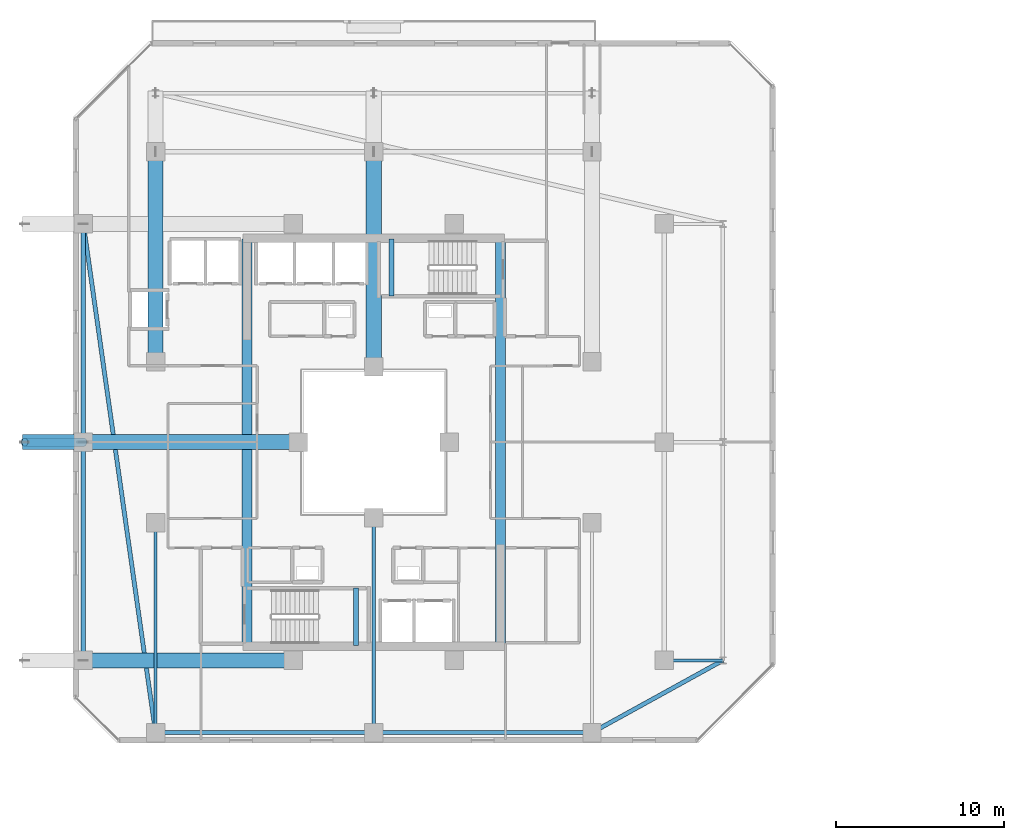
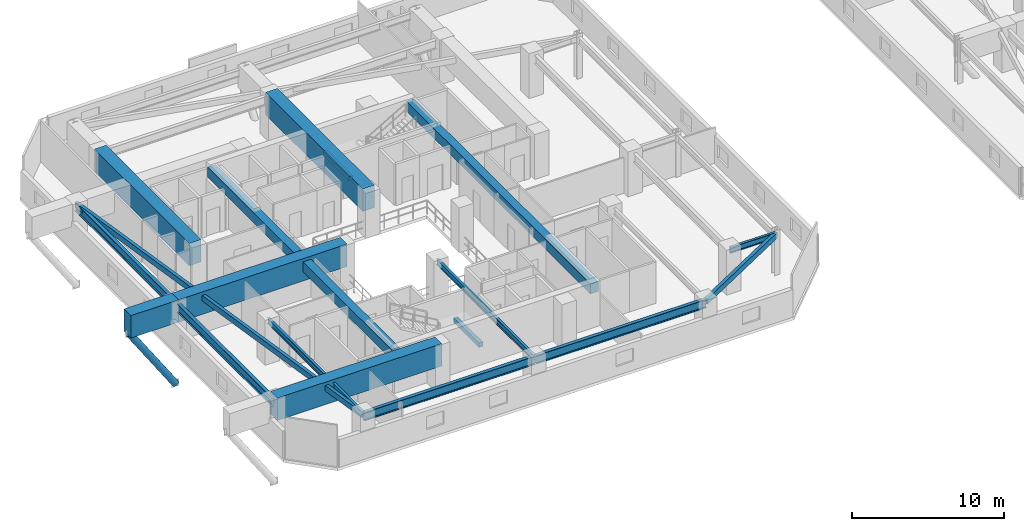
# One storey, part 4 of 36: 18 beams, 1 member.
"""IFC4 building model written with IfcOpenShell, lengths in metres."""

from ifc_helpers import new_model, si_unit, direction, frame, origin, origin_2d, place, context, subcontext, project, spatial, rectangle, hollow_rectangle, hollow_circle, i_section, extrude, material, material_profile, profile_set, type_object, element, save


model = new_model("IFC4")

# Units and contexts
model_context = context("Model", 3, precision=1e-05, world=origin(), true_north=direction((0.0, 1.0)))
body_context = subcontext(model_context, "Body", "Model", "MODEL_VIEW")
ifc_project = project(units=[si_unit("LENGTHUNIT", "METRE"), si_unit("AREAUNIT", "SQUARE_METRE"), si_unit("VOLUMEUNIT", "CUBIC_METRE"), si_unit("PLANEANGLEUNIT", "RADIAN"), si_unit("MASSUNIT", "GRAM", prefix="KILO")], contexts=[model_context])

# Site, building, storey
site_placement = place(None, origin())
site = spatial("IfcSite", under=ifc_project, at=site_placement, CompositionType="ELEMENT")
building_placement = place(site_placement, origin())
building = spatial("IfcBuilding", under=site, at=building_placement, Name="Thornwick Lancets Civic Towers", CompositionType="ELEMENT")
storey_placement = place(building_placement, frame((0.0, 0.0, 196.5)))
storey = spatial("IfcBuildingStorey", under=building, at=storey_placement, Name="L52", CompositionType="ELEMENT", Elevation=196.5)

# Beams
ifc_material_1 = material(Name="Concrete C60/75", Category="concrete")
ifc_material_profile_1 = material_profile(ifc_material_1, rectangle(XDim=0.60009765625, YDim=0.800048828125, at=origin_2d()), Name="RC 600x800")
ifc_profile_set_1 = profile_set([ifc_material_profile_1], Name="Concrete C60/75")
beam_type_1 = type_object("IfcBeamType", Name="BM_COUP_RC800", PredefinedType="BEAM", material=ifc_profile_set_1)
for number, where, z_axis, x_axis, name in (
    (1, (33.050048828125, 14.89990234375, 2.93994140625), (0.0, 1.0, 0.0), (-1.0, 0.0, 0.0), "CB-L52-A1"),
    (2, (17.949951171875, 14.89990234375, 2.93994140625), (0.0, 1.0, 0.0), (-1.0, 0.0, 0.0), "CB-L52-A2"),
):
    element("IfcBeam", number, at=place(storey_placement, frame(where, z_axis=z_axis, x_axis=x_axis)), inside=storey, type_object=beam_type_1, Name=name, PredefinedType="BEAM", context=body_context, shape_type="SweptSolid", body=[
        extrude(rectangle(XDim=0.60009765625, YDim=0.800048828125, at=origin_2d()), origin(), (0.0, 0.0, 1.0), 24.2001953125),
    ])
ifc_material_2 = material(Name="Steel S355JR", Category="steel")
ifc_material_profile_2 = material_profile(ifc_material_2, i_section(OverallWidth=0.255859375, OverallDepth=0.69287109375, WebThickness=0.014404296875, FlangeThickness=0.023681640625, FilletRadius=0.01513671875, at=origin_2d()), Name="UKB 686x254x170")
ifc_profile_set_2 = profile_set([ifc_material_profile_2], Name="Steel S355JR")
beam_type_2 = type_object("IfcBeamType", Name="BM_GIRD_686_170", PredefinedType="BEAM", material=ifc_profile_set_2)
beam_1_placement = place(storey_placement, frame((12.5, 9.699951171875, 2.993408203125), z_axis=(1.0, 0.0, 0.0), x_axis=(0.0, 1.0, 0.0)))
element("IfcBeam", 3, at=beam_1_placement, inside=storey, type_object=beam_type_2, Name="BM-SPINE-L52-A-0-1", PredefinedType="BEAM", context=body_context, shape_type="SweptSolid", body=[
    extrude(i_section(OverallWidth=0.255859375, OverallDepth=0.69287109375, WebThickness=0.014404296875, FlangeThickness=0.023681640625, FilletRadius=0.01513671875, at=origin_2d()), origin(), (0.0, 0.0, 1.0), 13.0),
])
beam_2_placement = place(storey_placement, frame((25.580078125, 9.699951171875, 2.993408203125), z_axis=(1.0, 0.0, 0.0), x_axis=(0.0, 1.0, 0.0)))
element("IfcBeam", 4, at=beam_2_placement, inside=storey, type_object=beam_type_2, Name="BM-SPINE-L52-A-1-2", PredefinedType="BEAM", context=body_context, shape_type="SweptSolid", body=[
    extrude(i_section(OverallWidth=0.255859375, OverallDepth=0.69287109375, WebThickness=0.014404296875, FlangeThickness=0.023681640625, FilletRadius=0.01513671875, at=origin_2d()), origin(), (0.0, 0.0, 1.0), 12.919921875),
])
beam_3_placement = place(storey_placement, frame((8.199951171875, 14.0, 2.993408203125), z_axis=(0.0, 1.0, 0.0), x_axis=(-1.0, 0.0, 0.0)))
element("IfcBeam", 5, at=beam_3_placement, inside=storey, type_object=beam_type_2, Name="BM-SPINE-L52-A-9-10", PredefinedType="BEAM", context=body_context, shape_type="SweptSolid", body=[
    extrude(i_section(OverallWidth=0.255859375, OverallDepth=0.69287109375, WebThickness=0.014404296875, FlangeThickness=0.023681640625, FilletRadius=0.01513671875, at=origin_2d()), origin(), (0.0, 0.0, 1.0), 13.0),
])
beam_4_placement = place(storey_placement, frame((8.199951171875, 27.080078125, 2.993408203125), z_axis=(0.0, 1.0, 0.0), x_axis=(-1.0, 0.0, 0.0)))
element("IfcBeam", 6, at=beam_4_placement, inside=storey, type_object=beam_type_2, Name="BM-SPINE-L52-A-10-11", PredefinedType="BEAM", context=body_context, shape_type="SweptSolid", body=[
    extrude(i_section(OverallWidth=0.255859375, OverallDepth=0.69287109375, WebThickness=0.014404296875, FlangeThickness=0.023681640625, FilletRadius=0.01513671875, at=origin_2d()), origin(), (0.0, 0.0, 1.0), 12.919921875),
])
ifc_material_profile_3 = material_profile(ifc_material_2, i_section(OverallWidth=0.19189453125, OverallDepth=0.46337890625, WebThickness=0.010498046875, FlangeThickness=0.017578125, FilletRadius=0.01025390625, at=origin_2d()), Name="UKB 457x191x89")
ifc_profile_set_3 = profile_set([ifc_material_profile_3], Name="Steel S355JR")
beam_type_3 = type_object("IfcBeamType", Name="BM_JOIST_457_89", PredefinedType="JOIST", material=ifc_profile_set_3)
beam_5_placement = place(storey_placement, frame((12.5, 22.199951171875, 3.1083984375), z_axis=(0.0, -1.0, 0.0), x_axis=(1.0, 0.0, 0.0)))
element("IfcBeam", 7, at=beam_5_placement, inside=storey, type_object=beam_type_3, Name="BM-RADIN-L52-A01", PredefinedType="JOIST", context=body_context, shape_type="SweptSolid", body=[
    extrude(i_section(OverallWidth=0.19189453125, OverallDepth=0.46337890625, WebThickness=0.010498046875, FlangeThickness=0.017578125, FilletRadius=0.01025390625, at=origin_2d()), origin(), (0.0, 0.0, 1.0), 12.5),
])
beam_6_placement = place(storey_placement, frame((25.5, 22.5, 3.1083984375), z_axis=(0.0, -1.0, 0.0), x_axis=(1.0, 0.0, 0.0)))
element("IfcBeam", 8, at=beam_6_placement, inside=storey, type_object=beam_type_3, Name="BM-RADIN-L52-A02", PredefinedType="JOIST", context=body_context, shape_type="SweptSolid", body=[
    extrude(i_section(OverallWidth=0.19189453125, OverallDepth=0.46337890625, WebThickness=0.010498046875, FlangeThickness=0.017578125, FilletRadius=0.01025390625, at=origin_2d()), origin(), (0.0, 0.0, 1.0), 12.800048828125),
])
beam_7_placement = place(storey_placement, frame((42.800048828125, 14.0, 3.1083984375), z_axis=(1.0, 0.0, 0.0), x_axis=(0.0, 1.0, 0.0)))
element("IfcBeam", 9, at=beam_7_placement, inside=storey, type_object=beam_type_3, Name="BM-RAD-L52-A04", PredefinedType="JOIST", context=body_context, shape_type="SweptSolid", body=[
    extrude(i_section(OverallWidth=0.19189453125, OverallDepth=0.46337890625, WebThickness=0.010498046875, FlangeThickness=0.017578125, FilletRadius=0.01025390625, at=origin_2d()), origin(), (0.0, 0.0, 1.0), 3.5),
])
ifc_material_profile_4 = material_profile(ifc_material_2, hollow_rectangle(XDim=0.25, YDim=0.449951171875, WallThickness=0.01611328125, at=origin_2d()), Name="RHS 450x250x16")
ifc_profile_set_4 = profile_set([ifc_material_profile_4], Name="Steel S355JR")
beam_type_4 = type_object("IfcBeamType", Name="BM_RING_RHS450", PredefinedType="BEAM", material=ifc_profile_set_4)
beam_8_placement = place(storey_placement, frame((38.5, 9.699951171875, 3.114990234375), z_axis=(0.875740348708, 0.482782395749, 0.0), x_axis=(-0.482782395749, 0.875740348708, 0.0)))
element("IfcBeam", 10, at=beam_8_placement, inside=storey, type_object=beam_type_4, Name="BM-CHAMF-L52-A-C0", PredefinedType="BEAM", context=body_context, shape_type="SweptSolid", body=[
    extrude(hollow_rectangle(XDim=0.25, YDim=0.449951171875, WallThickness=0.01611328125, at=origin_2d()), origin(), (0.0, 0.0, 1.0), 8.90673828125),
])
beam_9_placement = place(storey_placement, frame((8.199951171875, 40.0, 3.114990234375), z_axis=(0.140507712682, -0.990079584012, 0.0), x_axis=(0.990079584012, 0.140507712682, 0.0)))
element("IfcBeam", 11, at=beam_9_placement, inside=storey, type_object=beam_type_4, Name="BM-CHAMF-L52-A-C3", PredefinedType="BEAM", context=body_context, shape_type="SweptSolid", body=[
    extrude(hollow_rectangle(XDim=0.25, YDim=0.449951171875, WallThickness=0.01611328125, at=origin_2d()), origin(), (0.0, 0.0, 1.0), 30.603759765625),
])
ifc_material_3 = material(Name="Concrete C40/50", Category="concrete")
ifc_material_profile_5 = material_profile(ifc_material_3, rectangle(XDim=0.300048828125, YDim=0.35009765625, at=origin_2d()), Name="RC 300x350")
ifc_profile_set_5 = profile_set([ifc_material_profile_5], Name="Concrete C40/50")
beam_type_5 = type_object("IfcBeamType", Name="BM_STAIR_LDG", PredefinedType="BEAM", material=ifc_profile_set_5)
for number, where, z_axis, x_axis, name in (
    (12, (24.43505859375, 14.89990234375, 1.3779296875), (0.0, 1.0, 0.0), (-1.0, 0.0, 0.0), "L52 ST-A1 Landing Support Beam 1"),
    (13, (26.56494140625, 39.10009765625, 1.3779296875), (0.0, -1.0, 0.0), (1.0, 0.0, 0.0), "L52 ST-A2 Landing Support Beam 1"),
):
    element("IfcBeam", number, at=place(storey_placement, frame(where, z_axis=z_axis, x_axis=x_axis)), inside=storey, type_object=beam_type_5, Name=name, PredefinedType="BEAM", context=body_context, shape_type="SweptSolid", body=[
        extrude(rectangle(XDim=0.300048828125, YDim=0.35009765625, at=origin_2d()), origin(), (0.0, 0.0, 1.0), 3.400146484375),
    ])
ifc_material_profile_6 = material_profile(ifc_material_1, rectangle(XDim=0.89990234375, YDim=1.800048828125, at=origin_2d()), Name="RC 900x1800")
ifc_profile_set_6 = profile_set([ifc_material_profile_6], Name="Concrete C60/75")
beam_type_6 = type_object("IfcBeamType", Name="BM_TR_RC1800", PredefinedType="BEAM", material=ifc_profile_set_6)
beam_10_placement = place(storey_placement, frame((12.5, 31.800048828125, 2.699951171875), z_axis=(0.0, 1.0, 0.0), x_axis=(-1.0, 0.0, 0.0)))
element("IfcBeam", 14, at=beam_10_placement, inside=storey, type_object=beam_type_6, Name="TG-BACK-L53-A07", PredefinedType="BEAM", context=body_context, shape_type="SweptSolid", body=[
    extrude(rectangle(XDim=0.89990234375, YDim=1.800048828125, at=origin_2d()), origin(), (0.0, 0.0, 1.0), 12.5),
])
beam_11_placement = place(storey_placement, frame((25.5, 31.5, 2.699951171875), z_axis=(0.0, 1.0, 0.0), x_axis=(-1.0, 0.0, 0.0)))
element("IfcBeam", 15, at=beam_11_placement, inside=storey, type_object=beam_type_6, Name="TG-BACK-L53-A08", PredefinedType="BEAM", context=body_context, shape_type="SweptSolid", body=[
    extrude(rectangle(XDim=0.89990234375, YDim=1.800048828125, at=origin_2d()), origin(), (0.0, 0.0, 1.0), 12.800048828125),
])
beam_12_placement = place(storey_placement, frame((20.699951171875, 14.0, 2.699951171875), z_axis=(-1.0, 0.0, 0.0), x_axis=(0.0, -1.0, 0.0)))
element("IfcBeam", 16, at=beam_12_placement, inside=storey, type_object=beam_type_6, Name="TG-BACK-L53-A10", PredefinedType="BEAM", context=body_context, shape_type="SweptSolid", body=[
    extrude(rectangle(XDim=0.89990234375, YDim=1.800048828125, at=origin_2d()), origin(), (0.0, 0.0, 1.0), 12.5),
])
beam_13_placement = place(storey_placement, frame((21.0, 27.0, 2.699951171875), z_axis=(-1.0, 0.0, 0.0), x_axis=(0.0, -1.0, 0.0)))
element("IfcBeam", 17, at=beam_13_placement, inside=storey, type_object=beam_type_6, Name="TG-BACK-L53-A11", PredefinedType="BEAM", context=body_context, shape_type="SweptSolid", body=[
    extrude(rectangle(XDim=0.89990234375, YDim=1.800048828125, at=origin_2d()), origin(), (0.0, 0.0, 1.0), 12.800048828125),
])
beam_14_placement = place(storey_placement, frame((8.199951171875, 27.0, 2.699951171875), z_axis=(-1.0, 0.0, 0.0), x_axis=(0.0, -1.0, 0.0)))
element("IfcBeam", 18, at=beam_14_placement, inside=storey, type_object=beam_type_6, Name="TG-CANT-L53-A11", PredefinedType="BEAM", context=body_context, shape_type="SweptSolid", body=[
    extrude(rectangle(XDim=0.89990234375, YDim=1.800048828125, at=origin_2d()), origin(), (0.0, 0.0, 1.0), 3.619873046875),
])

# Member
ifc_material_4 = material(Name="Steel S460M", Category="steel")
ifc_material_profile_7 = material_profile(ifc_material_4, hollow_circle(Radius=0.25390625, WallThickness=0.02490234375, at=origin_2d()), Name="CHS 508x25")
ifc_profile_set_7 = profile_set([ifc_material_profile_7], Name="Steel S460M")
member_type = type_object("IfcMemberType", Name="MEM_STRUT_CHS508", PredefinedType="STRUT", material=ifc_profile_set_7)
member_placement = place(storey_placement, frame((8.199951171875, 27.0, -3.35009765625), z_axis=(-0.556167580628, 0.0, 0.831070166868), x_axis=(0.0, -1.0, 0.0)))
element("IfcMember", 19, at=member_placement, inside=storey, type_object=member_type, Name="L53 Jenga Transfer Raking Strut A11", PredefinedType="STRUT", context=body_context, shape_type="SweptSolid", body=[
    extrude(hollow_circle(Radius=0.25390625, WallThickness=0.02490234375, at=origin_2d()), origin(), (0.0, 0.0, 1.0), 6.29296875),
])

save(model, "model.ifc")
